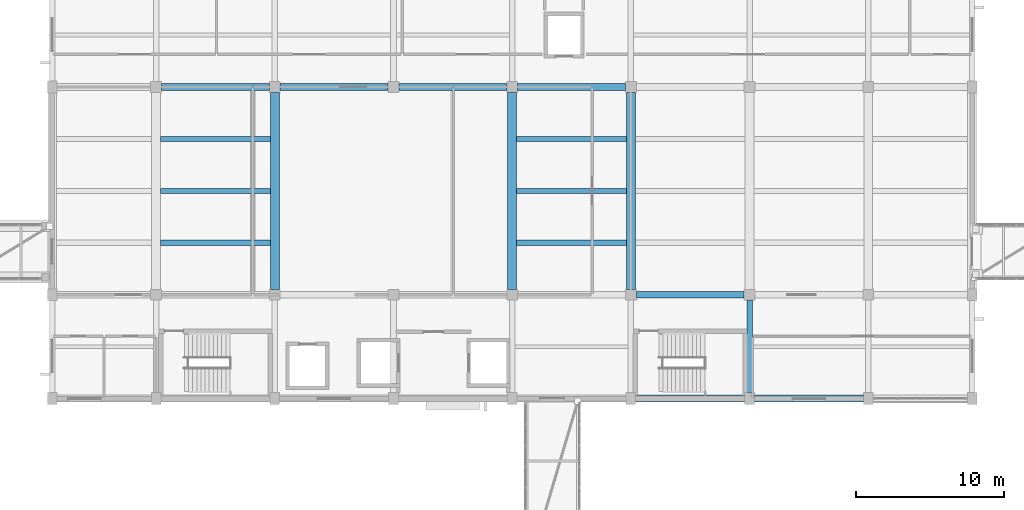
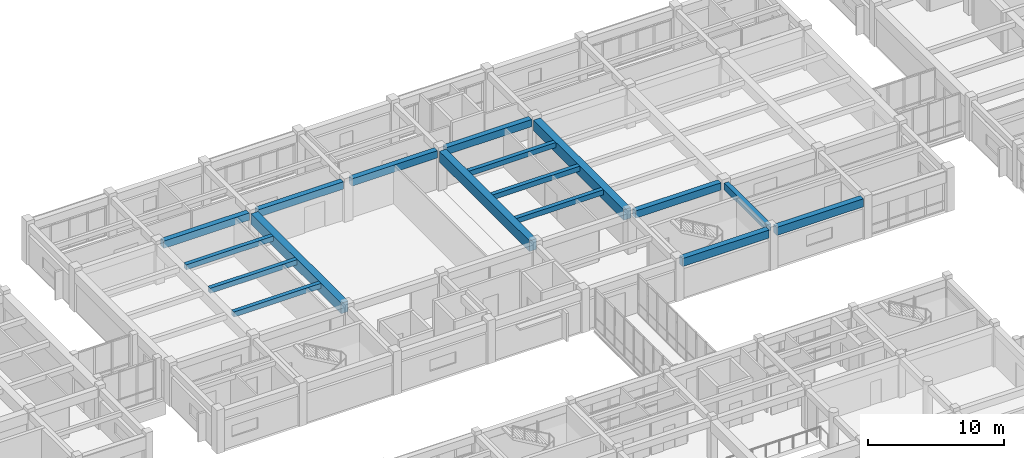
# One storey, part 25 of 66: 17 beams.
"""IFC4 building model written with IfcOpenShell, lengths in metres."""

from ifc_helpers import new_model, si_unit, direction, frame, origin, origin_2d, place, context, subcontext, project, spatial, rectangle, extrude, material, material_profile, profile_set, type_object, element, save


model = new_model("IFC4")

# Units and contexts
model_context = context("Model", 3, precision=1e-05, world=origin(), true_north=direction((0.0, 1.0)))
body_context = subcontext(model_context, "Body", "Model", "MODEL_VIEW")
ifc_project = project(units=[si_unit("LENGTHUNIT", "METRE"), si_unit("AREAUNIT", "SQUARE_METRE"), si_unit("VOLUMEUNIT", "CUBIC_METRE"), si_unit("PLANEANGLEUNIT", "RADIAN"), si_unit("MASSUNIT", "GRAM", prefix="KILO")], contexts=[model_context])

# Site, building, storey
site_placement = place(None, origin())
site = spatial("IfcSite", under=ifc_project, at=site_placement, CompositionType="ELEMENT")
building_placement = place(site_placement, origin())
building = spatial("IfcBuilding", under=site, at=building_placement, Name="Naurynzar Civic Courthouse", CompositionType="ELEMENT")
storey_placement = place(building_placement, frame((0.0, 0.0, 14.39990234375)))
storey = spatial("IfcBuildingStorey", under=building, at=storey_placement, Name="L04", CompositionType="ELEMENT", Elevation=14.39990234375)

# Beams
ifc_material_1 = material(Name="Concrete C40/50", Category="concrete")
ifc_material_profile_1 = material_profile(ifc_material_1, rectangle(XDim=0.60009765625, YDim=0.949951171875, at=origin_2d()), Name="PTB 600x950")
ifc_profile_set_1 = profile_set([ifc_material_profile_1], Name="Concrete C40/50")
beam_type_1 = type_object("IfcBeamType", Name="BM-PT-600x950", PredefinedType="T_BEAM", material=ifc_profile_set_1)
for number, where, z_axis, x_axis, name in (
    (1, (77.0, 51.362548828125, 3.10498046875), (0.0, 1.0, 0.0), (-1.0, 0.0, 0.0), "V2 girder Y-694 L04"),
    (2, (93.0, 51.362548828125, 3.10498046875), (0.0, 1.0, 0.0), (-1.0, 0.0, 0.0), "V2 girder Y-699 L04"),
    (3, (101.0, 51.362548828125, 3.10498046875), (0.0, 1.0, 0.0), (-1.0, 0.0, 0.0), "V2 girder Y-702 L04"),
):
    element("IfcBeam", number, at=place(storey_placement, frame(where, z_axis=z_axis, x_axis=x_axis)), inside=storey, type_object=beam_type_1, Name=name, PredefinedType="T_BEAM", context=body_context, shape_type="SweptSolid", body=[
        extrude(rectangle(XDim=0.60009765625, YDim=0.949951171875, at=origin_2d()), origin(), (0.0, 0.0, 1.0), 13.27490234375),
    ])
ifc_material_2 = material(Name="Concrete C40/50", Category="concrete")
ifc_material_profile_2 = material_profile(ifc_material_2, rectangle(XDim=0.35009765625, YDim=0.449951171875, at=origin_2d()), Name="RCB 350x450")
ifc_profile_set_2 = profile_set([ifc_material_profile_2], Name="Concrete C40/50")
beam_type_2 = type_object("IfcBeamType", Name="BM-RC-350x450", PredefinedType="BEAM", material=ifc_profile_set_2)
for number, where, z_axis, x_axis, name in (
    (4, (69.300048828125, 54.5, 3.35498046875), (1.0, 0.0, 0.0), (0.0, 1.0, 0.0), "V2 secondary rib 720 L04"),
    (5, (69.300048828125, 58.0, 3.35498046875), (1.0, 0.0, 0.0), (0.0, 1.0, 0.0), "V2 secondary rib 721 L04"),
    (6, (69.300048828125, 61.5, 3.35498046875), (1.0, 0.0, 0.0), (0.0, 1.0, 0.0), "V2 secondary rib 722 L04"),
    (7, (93.300048828125, 54.5, 3.35498046875), (1.0, 0.0, 0.0), (0.0, 1.0, 0.0), "V2 secondary rib 723 L04"),
    (8, (93.300048828125, 58.0, 3.35498046875), (1.0, 0.0, 0.0), (0.0, 1.0, 0.0), "V2 secondary rib 724 L04"),
    (9, (93.300048828125, 61.5, 3.35498046875), (1.0, 0.0, 0.0), (0.0, 1.0, 0.0), "V2 secondary rib 725 L04"),
):
    element("IfcBeam", number, at=place(storey_placement, frame(where, z_axis=z_axis, x_axis=x_axis)), inside=storey, type_object=beam_type_2, Name=name, PredefinedType="BEAM", context=body_context, shape_type="SweptSolid", body=[
        extrude(rectangle(XDim=0.35009765625, YDim=0.449951171875, at=origin_2d()), origin(), (0.0, 0.0, 1.0), 7.39990234375),
    ])
ifc_material_3 = material(Name="Concrete C40/50", Category="concrete")
ifc_material_profile_3 = material_profile(ifc_material_3, rectangle(XDim=0.375, YDim=0.60009765625, at=origin_2d()), Name="RCB 375x600")
ifc_profile_set_3 = profile_set([ifc_material_profile_3], Name="Concrete C40/50")
beam_type_3 = type_object("IfcBeamType", Name="BM-RC-375x600", PredefinedType="BEAM", material=ifc_profile_set_3)
beam_placement = place(storey_placement, frame((109.0, 44.39990234375, 3.280029296875), z_axis=(0.0, 1.0, 0.0), x_axis=(-1.0, 0.0, 0.0)))
element("IfcBeam", 10, at=beam_placement, inside=storey, type_object=beam_type_3, Name="V2 girder Y-704 L04", PredefinedType="BEAM", context=body_context, shape_type="SweptSolid", body=[
    extrude(rectangle(XDim=0.375, YDim=0.60009765625, at=origin_2d()), origin(), (0.0, 0.0, 1.0), 6.237548828125),
])
ifc_material_4 = material(Name="Concrete C40/50", Category="concrete")
ifc_material_profile_4 = material_profile(ifc_material_4, rectangle(XDim=0.449951171875, YDim=0.64990234375, at=origin_2d()), Name="RCB 450x650")
ifc_profile_set_4 = profile_set([ifc_material_profile_4], Name="Concrete C40/50")
beam_type_4 = type_object("IfcBeamType", Name="BM-RC-450x650", PredefinedType="BEAM", material=ifc_profile_set_4)
for number, where, z_axis, x_axis, name in (
    (11, (101.362548828125, 51.0, 3.255126953125), (1.0, 0.0, 0.0), (0.0, 1.0, 0.0), "V2 beam X-668 L04"),
    (12, (69.362548828125, 65.0, 3.255126953125), (1.0, 0.0, 0.0), (0.0, 1.0, 0.0), "V2 beam X-672 L04"),
    (13, (77.362548828125, 65.0, 3.255126953125), (1.0, 0.0, 0.0), (0.0, 1.0, 0.0), "V2 beam X-673 L04"),
    (14, (85.362548828125, 65.0, 3.255126953125), (1.0, 0.0, 0.0), (0.0, 1.0, 0.0), "V2 beam X-674 L04"),
    (15, (93.362548828125, 65.0, 3.255126953125), (1.0, 0.0, 0.0), (0.0, 1.0, 0.0), "V2 beam X-675 L04"),
):
    element("IfcBeam", number, at=place(storey_placement, frame(where, z_axis=z_axis, x_axis=x_axis)), inside=storey, type_object=beam_type_4, Name=name, PredefinedType="BEAM", context=body_context, shape_type="SweptSolid", body=[
        extrude(rectangle(XDim=0.449951171875, YDim=0.64990234375, at=origin_2d()), origin(), (0.0, 0.0, 1.0), 7.27490234375),
    ])
ifc_material_5 = material(Name="Concrete C40/50", Category="concrete")
ifc_material_profile_5 = material_profile(ifc_material_5, rectangle(XDim=0.47509765625, YDim=0.72509765625, at=origin_2d()), Name="RCB 475x725")
ifc_profile_set_5 = profile_set([ifc_material_profile_5], Name="Concrete C40/50")
beam_type_5 = type_object("IfcBeamType", Name="BM-RC-475x725", PredefinedType="SPANDREL", material=ifc_profile_set_5)
for number, where, z_axis, x_axis, name in (
    (16, (101.324951171875, 44.0, 3.217529296875), (1.0, 0.0, 0.0), (0.0, 1.0, 0.0), "V2 beam X-660 L04"),
    (17, (109.324951171875, 44.0, 3.217529296875), (1.0, 0.0, 0.0), (0.0, 1.0, 0.0), "V2 beam X-661 L04"),
):
    element("IfcBeam", number, at=place(storey_placement, frame(where, z_axis=z_axis, x_axis=x_axis)), inside=storey, type_object=beam_type_5, Name=name, PredefinedType="SPANDREL", context=body_context, shape_type="SweptSolid", body=[
        extrude(rectangle(XDim=0.47509765625, YDim=0.72509765625, at=origin_2d()), origin(), (0.0, 0.0, 1.0), 7.35009765625),
    ])

save(model, "model.ifc")
